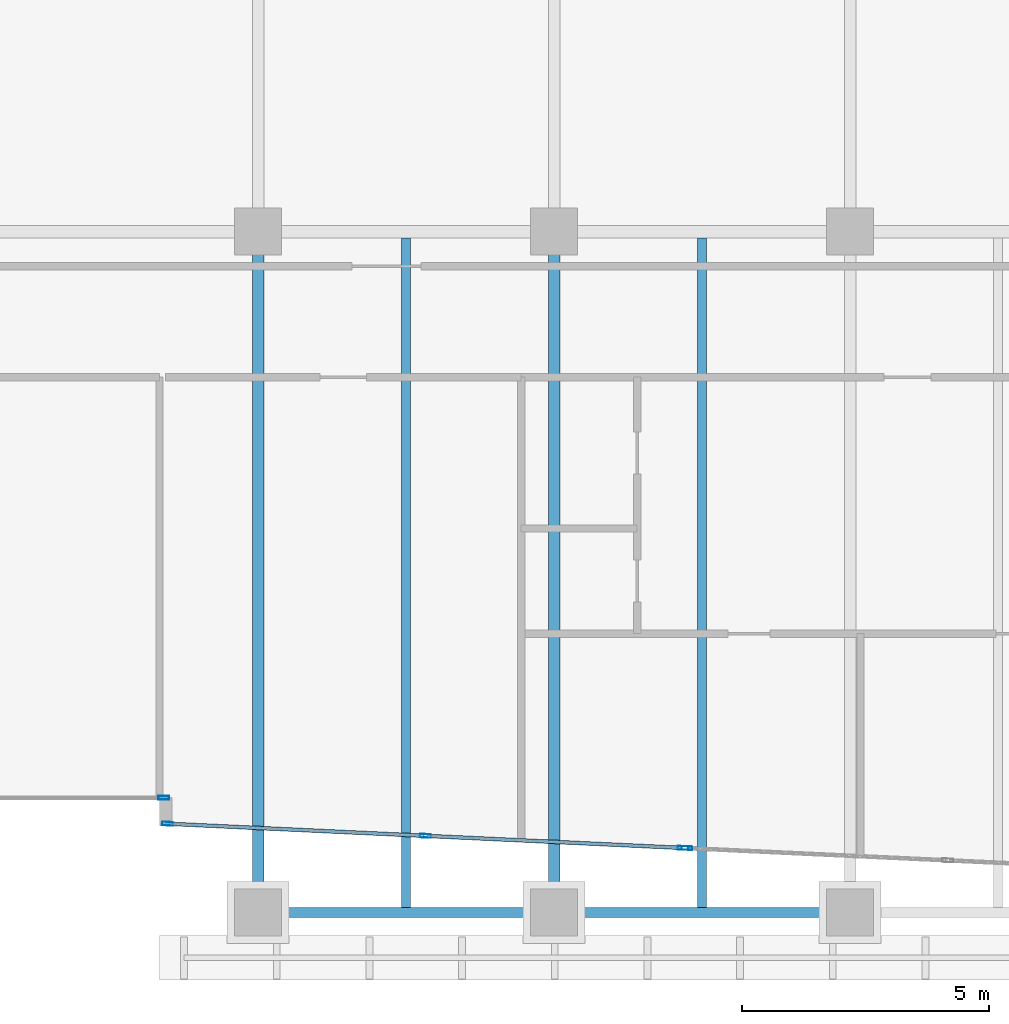
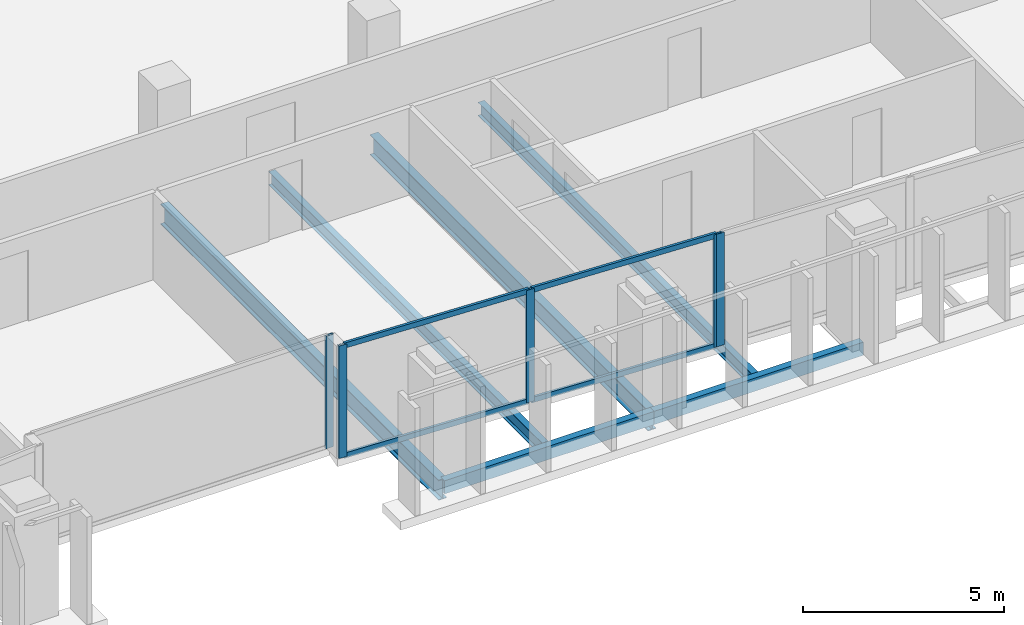
# One storey, part 7 of 39: 9 members, 6 beams, 3 elements without a shape of their own.
"""IFC4 building model written with IfcOpenShell, lengths in metres."""

from ifc_helpers import new_model, si_unit, direction, frame, origin, origin_2d, place, context, subcontext, project, spatial, hollow_rectangle, i_section, extrude, material, layer, layer_set, material_profile, profile_set, type_object, element, aggregate, save


model = new_model("IFC4")

# Units and contexts
model_context = context("Model", 3, precision=1e-05, world=origin(), true_north=direction((0.0, 1.0)))
body_context = subcontext(model_context, "Body", "Model", "MODEL_VIEW")
ifc_project = project(units=[si_unit("LENGTHUNIT", "METRE"), si_unit("AREAUNIT", "SQUARE_METRE"), si_unit("VOLUMEUNIT", "CUBIC_METRE"), si_unit("PLANEANGLEUNIT", "RADIAN"), si_unit("MASSUNIT", "GRAM", prefix="KILO")], contexts=[model_context])

# Site, building, storey
site_placement = place(None, origin())
site = spatial("IfcSite", under=ifc_project, at=site_placement, CompositionType="ELEMENT")
building_placement = place(site_placement, origin())
building = spatial("IfcBuilding", under=site, at=building_placement, Name="Tanjung Sevakor Pilgrim Tower", CompositionType="ELEMENT")
storey_placement = place(building_placement, frame((0.0, 0.0, 112.199951171875)))
storey = spatial("IfcBuildingStorey", under=building, at=storey_placement, Name="L31", CompositionType="ELEMENT", Elevation=112.199951171875)

# Beams
ifc_material_1 = material(Name="Steel S355J2", Category="steel")
ifc_material_profile_1 = material_profile(ifc_material_1, i_section(OverallWidth=0.230224609375, OverallDepth=0.6171875, WebThickness=0.01318359375, FlangeThickness=0.022216796875, FilletRadius=0.0126953125, at=origin_2d()))
ifc_profile_set_1 = profile_set([ifc_material_profile_1], Name="Steel S355J2")
beam_type_1 = type_object("IfcBeamType", Name="BM-B-G3-UB_610x229x140", PredefinedType="BEAM", material=ifc_profile_set_1)
for number, where, z_axis, x_axis, name in (
    (1, (54.0, 10.800048828125, -0.528564453125), (0.0, 1.0, 0.0), (-1.0, 0.0, 0.0), "L31 MAIN Girder 017"),
    (2, (60.0, 10.800048828125, -0.528564453125), (0.0, 1.0, 0.0), (-1.0, 0.0, 0.0), "L31 MAIN Girder 022"),
):
    element("IfcBeam", number, at=place(storey_placement, frame(where, z_axis=z_axis, x_axis=x_axis)), inside=storey, type_object=beam_type_1, Name=name, PredefinedType="BEAM", context=body_context, shape_type="SweptSolid", body=[
        extrude(i_section(OverallWidth=0.230224609375, OverallDepth=0.6171875, WebThickness=0.01318359375, FlangeThickness=0.022216796875, FilletRadius=0.0126953125, at=origin_2d()), origin(), (0.0, 0.0, 1.0), 13.800048828125),
    ])
ifc_material_2 = material(Name="Steel S355J2", Category="steel")
ifc_material_profile_2 = material_profile(ifc_material_2, i_section(OverallWidth=0.1787109375, OverallDepth=0.409423828125, WebThickness=0.0087890625, FlangeThickness=0.014404296875, FilletRadius=0.01025390625, at=origin_2d()))
ifc_profile_set_2 = profile_set([ifc_material_profile_2], Name="Steel S355J2")
beam_type_2 = type_object("IfcBeamType", Name="BM-B-J3-UB_406x178x67", PredefinedType="JOIST", material=ifc_profile_set_2)
for number, where, z_axis, x_axis, name in (
    (3, (57.0, 10.89990234375, -0.424560546875), (0.0, 1.0, 0.0), (-1.0, 0.0, 0.0), "L31 MAIN Joist 020"),
    (4, (63.0, 10.89990234375, -0.424560546875), (0.0, 1.0, 0.0), (-1.0, 0.0, 0.0), "L31 MAIN Joist 025"),
):
    element("IfcBeam", number, at=place(storey_placement, frame(where, z_axis=z_axis, x_axis=x_axis)), inside=storey, type_object=beam_type_2, Name=name, PredefinedType="JOIST", context=body_context, shape_type="SweptSolid", body=[
        extrude(i_section(OverallWidth=0.1787109375, OverallDepth=0.409423828125, WebThickness=0.0087890625, FlangeThickness=0.014404296875, FilletRadius=0.01025390625, at=origin_2d()), origin(), (0.0, 0.0, 1.0), 13.57275390625),
    ])
ifc_material_3 = material(Name="Steel S355J2", Category="steel")
ifc_material_profile_3 = material_profile(ifc_material_3, hollow_rectangle(XDim=0.199951171875, YDim=0.39990234375, WallThickness=0.01611328125, at=origin_2d()))
ifc_profile_set_3 = profile_set([ifc_material_profile_3], Name="Steel S355J2")
beam_type_3 = type_object("IfcBeamType", Name="BM-B-SP2-RHS_400x200x16", PredefinedType="SPANDREL", material=ifc_profile_set_3)
for number, where, z_axis, x_axis, name in (
    (5, (54.0, 10.800048828125, -0.419921875), (1.0, 0.0, 0.0), (0.0, 1.0, 0.0), "L31 Spandrel MAIN S-07"),
    (6, (60.0, 10.800048828125, -0.419921875), (1.0, 0.0, 0.0), (0.0, 1.0, 0.0), "L31 Spandrel MAIN S-09"),
):
    element("IfcBeam", number, at=place(storey_placement, frame(where, z_axis=z_axis, x_axis=x_axis)), inside=storey, type_object=beam_type_3, Name=name, PredefinedType="SPANDREL", context=body_context, shape_type="SweptSolid", body=[
        extrude(hollow_rectangle(XDim=0.199951171875, YDim=0.39990234375, WallThickness=0.01611328125, at=origin_2d()), origin(), (0.0, 0.0, 1.0), 6.0),
    ])

# Curtain wall, member
ifc_material_4 = material(Name="Aluminium 6063-T6 and Low-E Glass", Category="aluminium")
ifc_layer_1 = layer(ifc_material_4, 0.179931640625)
ifc_layer_set_1 = layer_set([ifc_layer_1], Name="CW-SYS-CLEFT")
curtain_wall_type_1 = type_object("IfcCurtainWallType", Name="CW-SYS-CLEFT", PredefinedType="NOTDEFINED", material=ifc_layer_set_1)
curtain_wall_1_placement = place(storey_placement, origin())
curtain_wall_1 = element("IfcCurtainWall", 7, at=curtain_wall_1_placement, inside=storey, type_object=curtain_wall_type_1, Name="L31 Curtain Wall CW-CLF-L31-7", PredefinedType="NOTDEFINED")
ifc_material_5 = material(Name="Aluminium 6063-T6", Category="aluminium")
ifc_material_profile_4 = material_profile(ifc_material_5, hollow_rectangle(XDim=0.074951171875, YDim=0.219970703125, WallThickness=0.0048828125, at=origin_2d()))
ifc_profile_set_4 = profile_set([ifc_material_profile_4], Name="Aluminium 6063-T6")
member_type_1 = type_object("IfcMemberType", Name="TYPE-CWM-2", PredefinedType="MULLION", material=ifc_profile_set_4)
member_1_placement = place(storey_placement, frame((52.08740234375, 13.125, 0.0), z_axis=(0.0, 0.0, 1.0), x_axis=(0.0, 1.0, 0.0)))
member_1 = element("IfcMember", 8, at=member_1_placement, type_object=member_type_1, Name="CW-CLF mullion 2", PredefinedType="MULLION", context=body_context, shape_type="SweptSolid", body=[
    extrude(hollow_rectangle(XDim=0.074951171875, YDim=0.219970703125, WallThickness=0.0048828125, at=origin_2d()), origin(), (0.0, 0.0, 1.0), 3.41015625),
])
aggregate(curtain_wall_1, [member_1])

# Curtain wall, members
ifc_material_6 = material(Name="Aluminium 6063-T6 and Low-E Glass", Category="aluminium")
ifc_layer_2 = layer(ifc_material_6, 0.199951171875)
ifc_layer_set_2 = layer_set([ifc_layer_2], Name="CW-SYS-PRAY")
curtain_wall_type_2 = type_object("IfcCurtainWallType", Name="CW-SYS-PRAY", PredefinedType="NOTDEFINED", material=ifc_layer_set_2)
curtain_wall_2_placement = place(storey_placement, origin())
curtain_wall_2 = element("IfcCurtainWall", 9, at=curtain_wall_2_placement, inside=storey, type_object=curtain_wall_type_2, Name="L31 Curtain Wall CW-PRY-L31-9", PredefinedType="NOTDEFINED")
member_2_placement = place(storey_placement, frame((52.162353515625, 12.59765625, 0.0), z_axis=(0.0, 0.0, 1.0), x_axis=(0.046895901799, 0.998899781957, 0.0)))
member_2 = element("IfcMember", 10, at=member_2_placement, type_object=member_type_1, Name="CW-PRY mullion 1", PredefinedType="MULLION", context=body_context, shape_type="SweptSolid", body=[
    extrude(hollow_rectangle(XDim=0.074951171875, YDim=0.219970703125, WallThickness=0.0048828125, at=origin_2d()), origin(), (0.0, 0.0, 1.0), 3.41015625),
])
member_3_placement = place(storey_placement, frame((57.390380859375, 12.35205078125, 0.0), z_axis=(0.0, 0.0, 1.0), x_axis=(0.046895901799, 0.998899781957, 0.0)))
member_3 = element("IfcMember", 11, at=member_3_placement, type_object=member_type_1, Name="CW-PRY mullion 2", PredefinedType="MULLION", context=body_context, shape_type="SweptSolid", body=[
    extrude(hollow_rectangle(XDim=0.074951171875, YDim=0.219970703125, WallThickness=0.0048828125, at=origin_2d()), origin(), (0.0, 0.0, 1.0), 3.41015625),
])
member_4_placement = place(storey_placement, frame((62.618408203125, 12.106689453125, 0.0), z_axis=(0.0, 0.0, 1.0), x_axis=(0.046895901799, 0.998899781957, 0.0)))
member_4 = element("IfcMember", 12, at=member_4_placement, type_object=member_type_1, Name="CW-PRY mullion 3", PredefinedType="MULLION", context=body_context, shape_type="SweptSolid", body=[
    extrude(hollow_rectangle(XDim=0.074951171875, YDim=0.219970703125, WallThickness=0.0048828125, at=origin_2d()), origin(), (0.0, 0.0, 1.0), 3.41015625),
])

# Curtain wall, member
curtain_wall_3_placement = place(storey_placement, origin())
curtain_wall_3 = element("IfcCurtainWall", 13, at=curtain_wall_3_placement, inside=storey, type_object=curtain_wall_type_2, Name="L31 Curtain Wall CW-PRY-L31-10", PredefinedType="NOTDEFINED")
member_5_placement = place(storey_placement, frame((62.693359375, 12.10302734375, 0.0), z_axis=(0.0, 0.0, 1.0), x_axis=(0.046903911367, 0.998899405896, 0.0)))
member_5 = element("IfcMember", 14, at=member_5_placement, type_object=member_type_1, Name="CW-PRY mullion 1", PredefinedType="MULLION", context=body_context, shape_type="SweptSolid", body=[
    extrude(hollow_rectangle(XDim=0.074951171875, YDim=0.219970703125, WallThickness=0.0048828125, at=origin_2d()), origin(), (0.0, 0.0, 1.0), 3.41015625),
])
aggregate(curtain_wall_3, [member_5])

# Member
ifc_material_7 = material(Name="Aluminium 6063-T6", Category="aluminium")
ifc_material_profile_5 = material_profile(ifc_material_7, hollow_rectangle(XDim=0.074951171875, YDim=0.159912109375, WallThickness=0.00439453125, at=origin_2d()))
ifc_profile_set_5 = profile_set([ifc_material_profile_5], Name="Aluminium 6063-T6")
member_type_2 = type_object("IfcMemberType", Name="TYPE-CWT-2", PredefinedType="USERDEFINED", material=ifc_profile_set_5)
member_6_placement = place(storey_placement, frame((52.199951171875, 12.595703125, 0.03759765625), z_axis=(0.998899609096, -0.046899583674, 0.0), x_axis=(0.046899583674, 0.998899609096, 0.0)))
member_6 = element("IfcMember", 15, at=member_6_placement, type_object=member_type_2, Name="CW-PRY transom 1.1", ObjectType="TRANSOM", PredefinedType="USERDEFINED", context=body_context, shape_type="SweptSolid", body=[
    extrude(hollow_rectangle(XDim=0.074951171875, YDim=0.159912109375, WallThickness=0.00439453125, at=origin_2d()), origin(), (0.0, 0.0, 1.0), 5.15869140625),
])

member_7_placement = place(storey_placement, frame((52.199951171875, 12.595703125, 3.37255859375), z_axis=(0.998899609096, -0.046899583674, 0.0), x_axis=(0.046899583674, 0.998899609096, 0.0)))
member_7 = element("IfcMember", 16, at=member_7_placement, type_object=member_type_2, Name="CW-PRY transom 1.2", ObjectType="TRANSOM", PredefinedType="USERDEFINED", context=body_context, shape_type="SweptSolid", body=[
    extrude(hollow_rectangle(XDim=0.074951171875, YDim=0.159912109375, WallThickness=0.00439453125, at=origin_2d()), origin(), (0.0, 0.0, 1.0), 5.15869140625),
])

member_8_placement = place(storey_placement, frame((57.427978515625, 12.350341796875, 0.03759765625), z_axis=(0.998899609096, -0.046899583674, 0.0), x_axis=(0.046899583674, 0.998899609096, 0.0)))
member_8 = element("IfcMember", 17, at=member_8_placement, type_object=member_type_2, Name="CW-PRY transom 2.1", ObjectType="TRANSOM", PredefinedType="USERDEFINED", context=body_context, shape_type="SweptSolid", body=[
    extrude(hollow_rectangle(XDim=0.074951171875, YDim=0.159912109375, WallThickness=0.00439453125, at=origin_2d()), origin(), (0.0, 0.0, 1.0), 5.15869140625),
])

member_9_placement = place(storey_placement, frame((57.427978515625, 12.350341796875, 3.37255859375), z_axis=(0.998899609096, -0.046899583674, 0.0), x_axis=(0.046899583674, 0.998899609096, 0.0)))
member_9 = element("IfcMember", 18, at=member_9_placement, type_object=member_type_2, Name="CW-PRY transom 2.2", ObjectType="TRANSOM", PredefinedType="USERDEFINED", context=body_context, shape_type="SweptSolid", body=[
    extrude(hollow_rectangle(XDim=0.074951171875, YDim=0.159912109375, WallThickness=0.00439453125, at=origin_2d()), origin(), (0.0, 0.0, 1.0), 5.15869140625),
])

aggregate(curtain_wall_2, [member_2, member_3, member_4, member_6, member_7, member_8, member_9])

save(model, "model.ifc")
